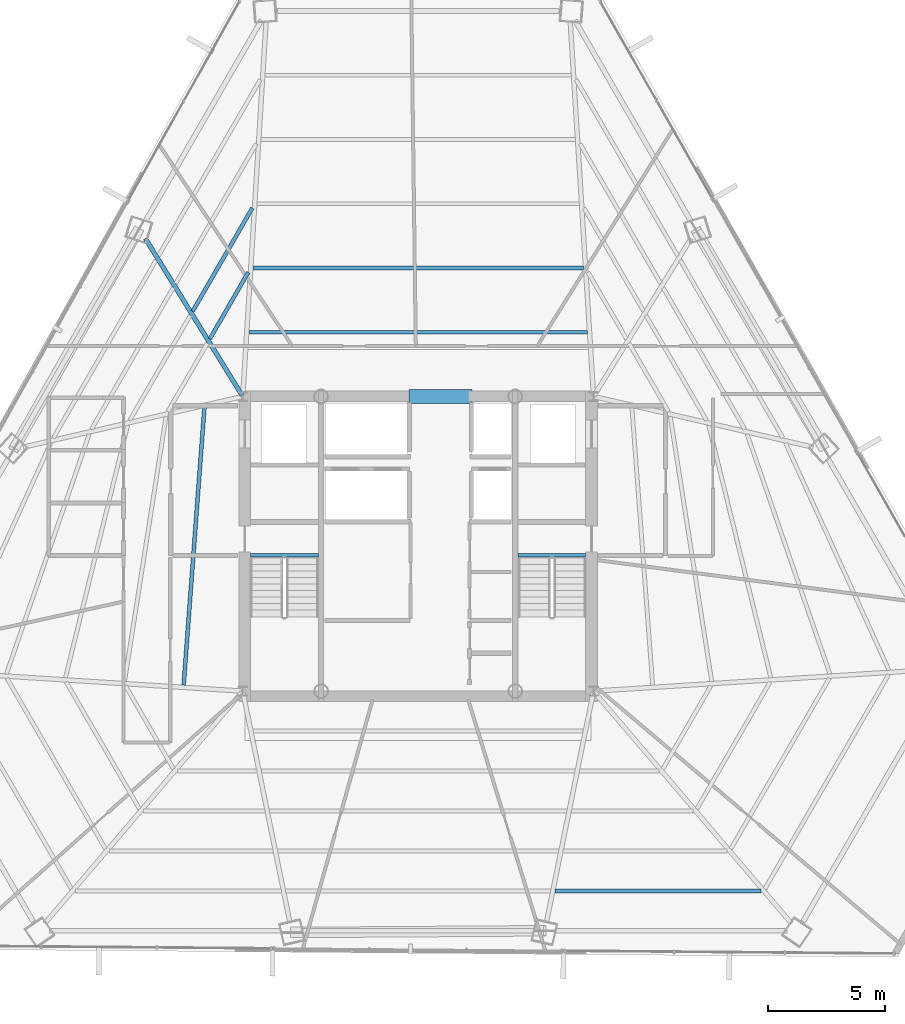
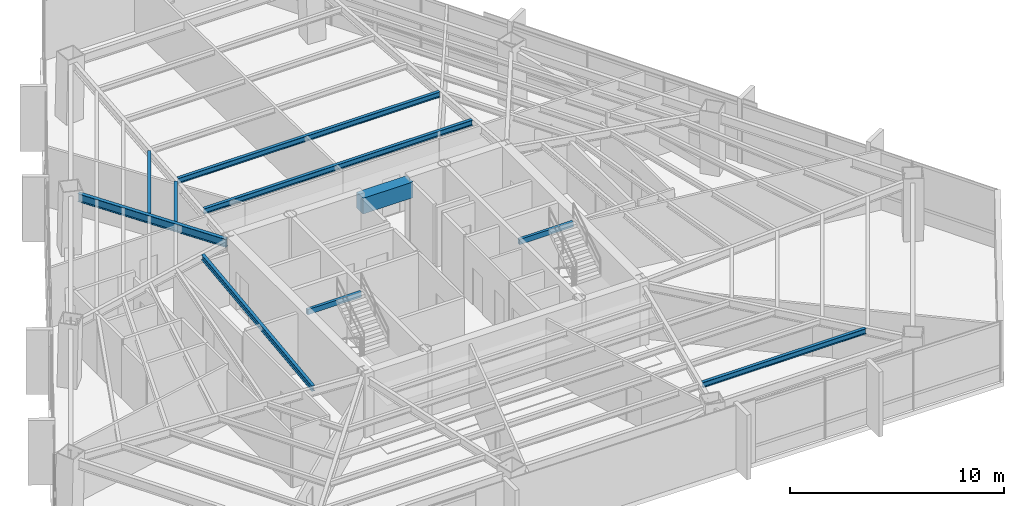
# One storey, part 16 of 39: 10 beams.
"""IFC4 building model written with IfcOpenShell, lengths in metres."""

from ifc_helpers import new_model, si_unit, direction, frame, origin, origin_2d, place, context, subcontext, project, spatial, rectangle, hollow_rectangle, i_section, extrude, source, transform, mapped, material, material_profile, profile_set, type_object, type_shapes, element, save


model = new_model("IFC4")

# Units and contexts
model_context = context("Model", 3, precision=1e-05, world=origin(), true_north=direction((0.0, 1.0)))
body_context = subcontext(model_context, "Body", "Model", "MODEL_VIEW")
ifc_project = project(units=[si_unit("LENGTHUNIT", "METRE"), si_unit("AREAUNIT", "SQUARE_METRE"), si_unit("VOLUMEUNIT", "CUBIC_METRE"), si_unit("PLANEANGLEUNIT", "RADIAN"), si_unit("MASSUNIT", "GRAM", prefix="KILO")], contexts=[model_context])

# Site, building, storey
site_placement = place(None, origin())
site = spatial("IfcSite", under=ifc_project, at=site_placement, CompositionType="ELEMENT")
building_placement = place(site_placement, origin())
building = spatial("IfcBuilding", under=site, at=building_placement, Name="Caelisora Broadcast Tower", CompositionType="ELEMENT")
storey_placement = place(building_placement, frame((0.0, 0.0, 142.75)))
storey = spatial("IfcBuildingStorey", under=building, at=storey_placement, Name="L37", CompositionType="ELEMENT", Elevation=142.75)

# Beams
ifc_material_1 = material(Name="Steel Grade 350 (AS/NZS 1163 C350L0)", Category="steel")
ifc_material_profile_1 = material_profile(ifc_material_1, hollow_rectangle(XDim=0.14990234375, YDim=0.300048828125, WallThickness=0.010009765625, at=origin_2d()), Name="Steel Grade 350 (AS/NZS 1163 C350L0)")
ifc_profile_set_1 = profile_set([ifc_material_profile_1], Name="Steel Grade 350 (AS/NZS 1163 C350L0)")
beam_type_1 = type_object("IfcBeamType", Name="SB05", PredefinedType="JOIST", material=ifc_profile_set_1)
shared_shape_1 = source(origin(), body_context, "Body", "SweptSolid", [
    extrude(hollow_rectangle(XDim=0.14990234375, YDim=0.300048828125, WallThickness=0.010009765625, at=origin_2d()), origin(), (0.0, 0.0, 1.0), 2.89990234375),
])
type_shapes(beam_type_1, [shared_shape_1])
for number, where, z_axis, x_axis, name in (
    (1, (30.840087890625, 23.219970703125, 3.25), (1.0, 0.0, 0.0), (0.0, 1.0, 0.0), "L37 beam SB05"),
    (2, (42.260009765625, 23.219970703125, 3.25), (1.0, 0.0, 0.0), (0.0, 1.0, 0.0), "L37 beam SB05"),
):
    element("IfcBeam", number, at=place(storey_placement, frame(where, z_axis=z_axis, x_axis=x_axis)), inside=storey, type_object=beam_type_1, Name=name, PredefinedType="JOIST", context=body_context, shape_type="MappedRepresentation", body=[
        mapped(shared_shape_1, transform((0.0, 0.0, 0.0), scale=1.0)),
    ])
ifc_material_2 = material(Name="Concrete 50 MPa (AS 3600 S50)", Category="concrete")
ifc_material_profile_2 = material_profile(ifc_material_2, rectangle(XDim=0.60009765625, YDim=0.89990234375, at=origin_2d()), Name="Concrete 50 MPa (AS 3600 S50)")
ifc_profile_set_2 = profile_set([ifc_material_profile_2], Name="Concrete 50 MPa (AS 3600 S50)")
beam_type_2 = type_object("IfcBeamType", Name="CB02", PredefinedType="LINTEL", material=ifc_profile_set_2)
shared_shape_2 = source(origin(), body_context, "Body", "SweptSolid", [
    extrude(rectangle(XDim=0.60009765625, YDim=0.89990234375, at=origin_2d()), origin(), (0.0, 0.0, 1.0), 2.699951171875),
])
type_shapes(beam_type_2, [shared_shape_2])
beam_1_placement = place(storey_placement, frame((37.60009765625, 30.0, 2.949951171875), z_axis=(1.0, 0.0, 0.0), x_axis=(0.0, 1.0, 0.0)))
element("IfcBeam", 3, at=beam_1_placement, inside=storey, type_object=beam_type_2, Name="L37 beam CB02", PredefinedType="LINTEL", context=body_context, shape_type="MappedRepresentation", body=[
    mapped(shared_shape_2, transform((0.0, 0.0, 0.0), scale=1.0)),
])
ifc_material_3 = material(Name="Steel Grade 350 (AS/NZS 3679.1)", Category="steel")
ifc_material_profile_3 = material_profile(ifc_material_3, i_section(OverallWidth=0.19091796875, OverallDepth=0.46044921875, WebThickness=0.010009765625, FlangeThickness=0.01611328125, at=origin_2d()), Name="Steel Grade 350 (AS/NZS 3679.1)")
ifc_profile_set_3 = profile_set([ifc_material_profile_3], Name="Steel Grade 350 (AS/NZS 3679.1)")
beam_type_3 = type_object("IfcBeamType", Name="PG06", PredefinedType="BEAM", material=ifc_profile_set_3)
shared_shape_3 = source(origin(), body_context, "Body", "SweptSolid", [
    extrude(i_section(OverallWidth=0.19091796875, OverallDepth=0.46044921875, WebThickness=0.010009765625, FlangeThickness=0.01611328125, at=origin_2d()), origin(), (0.0, 0.0, 1.0), 7.87255859375),
])
type_shapes(beam_type_3, [shared_shape_3])
beam_2_placement = place(storey_placement, frame((30.468505859375, 30.051025390625, 3.169921875), z_axis=(-0.52491042189, 0.851157476024, 0.0), x_axis=(-0.851157476024, -0.52491042189, 0.0)))
element("IfcBeam", 4, at=beam_2_placement, inside=storey, type_object=beam_type_3, Name="L37 beam PG06", PredefinedType="BEAM", context=body_context, shape_type="MappedRepresentation", body=[
    mapped(shared_shape_3, transform((0.0, 0.0, 0.0), scale=1.0)),
])
ifc_material_profile_4 = material_profile(ifc_material_3, i_section(OverallWidth=0.166015625, OverallDepth=0.30712890625, WebThickness=0.006591796875, FlangeThickness=0.01171875, at=origin_2d()), Name="Steel Grade 350 (AS/NZS 3679.1)")
ifc_profile_set_4 = profile_set([ifc_material_profile_4], Name="Steel Grade 350 (AS/NZS 3679.1)")
beam_type_4 = type_object("IfcBeamType", Name="SB03", PredefinedType="JOIST", material=ifc_profile_set_4)
shared_shape_4 = source(origin(), body_context, "Body", "SweptSolid", [
    extrude(i_section(OverallWidth=0.166015625, OverallDepth=0.30712890625, WebThickness=0.006591796875, FlangeThickness=0.01171875, at=origin_2d()), origin(), (0.0, 0.0, 1.0), 14.47216796875),
])
beam_3_placement = place(storey_placement, frame((45.236083984375, 32.746826171875, 3.246337890625), z_axis=(-1.0, 0.0, 0.0), x_axis=(0.0, -1.0, 0.0)))
element("IfcBeam", 5, at=beam_3_placement, inside=storey, type_object=beam_type_4, Name="L37 beam SB03", PredefinedType="JOIST", context=body_context, shape_type="MappedRepresentation", body=[
    mapped(shared_shape_4, transform((0.0, 0.0, 0.0), scale=1.0)),
])
shared_shape_5 = source(origin(), body_context, "Body", "SweptSolid", [
    extrude(i_section(OverallWidth=0.166015625, OverallDepth=0.30712890625, WebThickness=0.006591796875, FlangeThickness=0.01171875, at=origin_2d()), origin(), (0.0, 0.0, 1.0), 14.13037109375),
])
beam_4_placement = place(storey_placement, frame((45.065185546875, 35.49365234375, 3.246337890625), z_axis=(-1.0, 0.0, 0.0), x_axis=(0.0, -1.0, 0.0)))
element("IfcBeam", 6, at=beam_4_placement, inside=storey, type_object=beam_type_4, Name="L37 beam SB03", PredefinedType="JOIST", context=body_context, shape_type="MappedRepresentation", body=[
    mapped(shared_shape_5, transform((0.0, 0.0, 0.0), scale=1.0)),
])
shared_shape_6 = source(origin(), body_context, "Body", "SweptSolid", [
    extrude(i_section(OverallWidth=0.166015625, OverallDepth=0.30712890625, WebThickness=0.006591796875, FlangeThickness=0.01171875, at=origin_2d()), origin(), (0.0, 0.0, 1.0), 3.2900390625),
])
beam_5_placement = place(storey_placement, frame((30.736328125, 35.310546875, 3.246337890625), z_axis=(-0.4999858089, -0.866033596865, 0.0), x_axis=(0.866033596865, -0.4999858089, 0.0)))
element("IfcBeam", 7, at=beam_5_placement, inside=storey, type_object=beam_type_4, Name="L37 beam SB03", PredefinedType="JOIST", context=body_context, shape_type="MappedRepresentation", body=[
    mapped(shared_shape_6, transform((0.0, 0.0, 0.0), scale=1.0)),
])
shared_shape_7 = source(origin(), body_context, "Body", "SweptSolid", [
    extrude(i_section(OverallWidth=0.166015625, OverallDepth=0.30712890625, WebThickness=0.006591796875, FlangeThickness=0.01171875, at=origin_2d()), origin(), (0.0, 0.0, 1.0), 5.09375),
])
beam_6_placement = place(storey_placement, frame((30.907470703125, 38.057373046875, 3.246337890625), z_axis=(-0.499994895054, -0.866028351106, 0.0), x_axis=(0.866028351106, -0.499994895054, 0.0)))
element("IfcBeam", 8, at=beam_6_placement, inside=storey, type_object=beam_type_4, Name="L37 beam SB03", PredefinedType="JOIST", context=body_context, shape_type="MappedRepresentation", body=[
    mapped(shared_shape_7, transform((0.0, 0.0, 0.0), scale=1.0)),
])
shared_shape_8 = source(origin(), body_context, "Body", "SweptSolid", [
    extrude(i_section(OverallWidth=0.166015625, OverallDepth=0.30712890625, WebThickness=0.006591796875, FlangeThickness=0.01171875, at=origin_2d()), origin(), (0.0, 0.0, 1.0), 11.906005859375),
])
beam_7_placement = place(storey_placement, frame((28.860107421875, 29.526123046875, 3.246337890625), z_axis=(-0.074538625415, -0.997218127253, 0.0), x_axis=(0.997218127253, -0.074538625415, 0.0)))
element("IfcBeam", 9, at=beam_7_placement, inside=storey, type_object=beam_type_4, Name="L37 beam SB03", PredefinedType="JOIST", context=body_context, shape_type="MappedRepresentation", body=[
    mapped(shared_shape_8, transform((0.0, 0.0, 0.0), scale=1.0)),
])
shared_shape_9 = source(origin(), body_context, "Body", "SweptSolid", [
    extrude(i_section(OverallWidth=0.166015625, OverallDepth=0.30712890625, WebThickness=0.006591796875, FlangeThickness=0.01171875, at=origin_2d()), origin(), (0.0, 0.0, 1.0), 8.801025390625),
])
type_shapes(beam_type_4, [shared_shape_4, shared_shape_5, shared_shape_6, shared_shape_7, shared_shape_8, shared_shape_9])
beam_8_placement = place(storey_placement, frame((43.853515625, 8.86083984375, 3.246337890625), z_axis=(1.0, 0.0, 0.0), x_axis=(0.0, 1.0, 0.0)))
element("IfcBeam", 10, at=beam_8_placement, inside=storey, type_object=beam_type_4, Name="L37 beam SB03", PredefinedType="JOIST", context=body_context, shape_type="MappedRepresentation", body=[
    mapped(shared_shape_9, transform((0.0, 0.0, 0.0), scale=1.0)),
])

save(model, "model.ifc")
